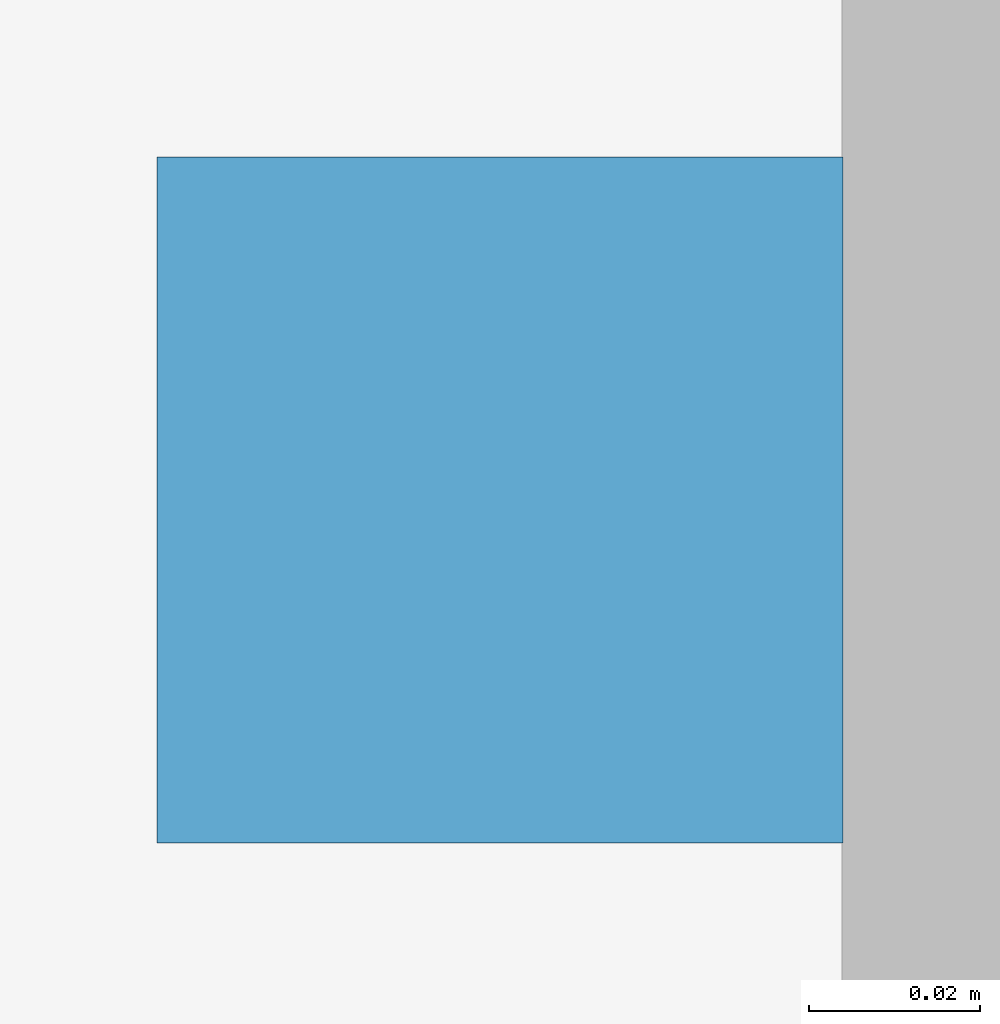
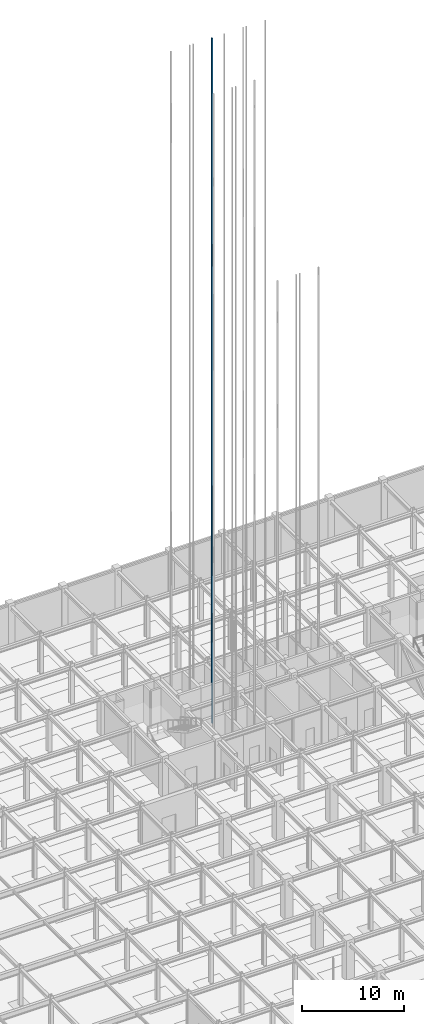
# One storey, part 59 of 69: 1 discrete accessory.
"""IFC4 building model written with IfcOpenShell, lengths in metres."""

import ifcopenshell
import ifcopenshell.guid

model = None  # the IFC model being written
_history = None  # IfcOwnerHistory: only IFC2X3 demands one
_inside = {}  # id of a spatial element -> (the spatial element, [elements in it])
_under = {}  # id of a project, library or spatial element -> (it, [spatial elements below it])
_declared = {}  # id of a project -> (the project, [libraries it declares])
_typed = {}  # id of a type object -> (the type object, [elements of that type])
_made_of = {}  # id of a material, layer set ... -> (it, [elements and type objects made of it])


def new_model(schema):
    """Start an empty IFC model of exactly this schema.

    Asked for "IFC4X3", IfcOpenShell would pick the latest addendum, in which some entities
    have other attributes; the version numbers below select the first issue.
    IFC2X3 requires an IfcOwnerHistory on every rooted entity: one is made here for all.
    """
    global model, _history
    if schema == "IFC4X3":
        model = ifcopenshell.file(schema_version=(4, 3, 0, 0))
    else:
        model = ifcopenshell.file(schema=schema)
    _inside.clear()
    _under.clear()
    _declared.clear()
    _typed.clear()
    _made_of.clear()
    _history = None
    if model.schema == "IFC2X3":
        org = make("IfcOrganization", Name="unknown")
        user = make(
            "IfcPersonAndOrganization",
            ThePerson=make("IfcPerson", FamilyName="unknown"),
            TheOrganization=org,
        )
        app = make(
            "IfcApplication",
            ApplicationDeveloper=org,
            Version="unknown",
            ApplicationFullName="unknown",
            ApplicationIdentifier="unknown",
        )
        _history = make(
            "IfcOwnerHistory",
            OwningUser=user,
            OwningApplication=app,
            ChangeAction="ADDED",
            CreationDate=0,
        )
    return model


def make(cls, **values):
    """One entity of the class cls with the attributes given. An attribute that is None is left unset."""
    return model.create_entity(
        cls, **{name: value for name, value in values.items() if value is not None}
    )


def rooted(cls, **values):
    """An entity with a GlobalId (a new one), such as an element, a storey or a relation."""
    return make(cls, GlobalId=ifcopenshell.guid.new(), OwnerHistory=_history, **values)


def si_unit(unit_type, name, prefix=None):
    """IfcSIUnit, for example si_unit("LENGTHUNIT", "METRE", prefix="MILLI")."""
    return make("IfcSIUnit", UnitType=unit_type, Prefix=prefix, Name=name)


def assignment(units):
    """IfcUnitAssignment: the units of a project."""
    return None if units is None else make("IfcUnitAssignment", Units=units)


def point(xyz):
    """IfcCartesianPoint."""
    return None if xyz is None else make("IfcCartesianPoint", Coordinates=xyz)


def direction(xyz):
    """IfcDirection."""
    return None if xyz is None else make("IfcDirection", DirectionRatios=xyz)


def frame(location, z_axis=None, x_axis=None):
    """IfcAxis2Placement3D, a coordinate frame: its origin and axes. An axis left out is left unset."""
    return make(
        "IfcAxis2Placement3D",
        Location=point(location),
        Axis=direction(z_axis),
        RefDirection=direction(x_axis),
    )


def frame_2d(location, x_axis=None):
    """IfcAxis2Placement2D, a coordinate frame in the plane: its origin and x axis."""
    return make(
        "IfcAxis2Placement2D", Location=point(location), RefDirection=direction(x_axis)
    )


def origin():
    """The frame at (0, 0, 0) with its axes left unset."""
    return frame((0.0, 0.0, 0.0))


def origin_2d():
    """The frame at (0, 0) in the plane with its x axis left unset."""
    return frame_2d((0.0, 0.0))


def place(relative_to, where):
    """IfcLocalPlacement: puts the frame where relative to a parent placement (None: the world)."""
    return make(
        "IfcLocalPlacement", PlacementRelTo=relative_to, RelativePlacement=where
    )


def context(
    kind, dimensions, precision=None, world=None, true_north=None, identifier=None
):
    """IfcGeometricRepresentationContext, for example the 3D "Model" context."""
    return make(
        "IfcGeometricRepresentationContext",
        ContextIdentifier=identifier,
        ContextType=kind,
        CoordinateSpaceDimension=dimensions,
        Precision=precision,
        WorldCoordinateSystem=world,
        TrueNorth=true_north,
    )


def subcontext(parent, identifier, kind, view, scale=None):
    """IfcGeometricRepresentationSubContext, for example "Body" below "Model"."""
    return make(
        "IfcGeometricRepresentationSubContext",
        ContextIdentifier=identifier,
        ContextType=kind,
        ParentContext=parent,
        TargetScale=scale,
        TargetView=view,
    )


def project(units=None, contexts=None):
    """IfcProject with its units and contexts."""
    return rooted(
        "IfcProject",
        Name="project",
        RepresentationContexts=contexts,
        UnitsInContext=assignment(units),
    )


def spatial(cls, under=None, at=None, **own):
    """A site, building, storey or space (cls), placed at a placement, below another one or the project."""
    s = rooted(cls, ObjectPlacement=at, **own)
    if under is not None:
        _under.setdefault(under.id(), (under, []))[1].append(s)
    return s


def profile(cls, at=None, kind="AREA", **sizes):
    """A parametric profile (cls). Its sizes go by their IFC names, for example OverallWidth=200.0."""
    return make(cls, ProfileType=kind, Position=at, **sizes)


def rectangle(**sizes):
    """IfcRectangleProfileDef."""
    return profile("IfcRectangleProfileDef", **sizes)


def extrude(swept, where, along, depth):
    """IfcExtrudedAreaSolid: the profile swept, set in the frame where, extruded along a direction by depth."""
    return make(
        "IfcExtrudedAreaSolid",
        SweptArea=swept,
        Position=where,
        ExtrudedDirection=direction(along),
        Depth=depth,
    )


def shape(context_of_items, identifier, shape_type, items):
    """IfcShapeRepresentation: the items that make up one representation, for example the "Body"."""
    return make(
        "IfcShapeRepresentation",
        ContextOfItems=context_of_items,
        RepresentationIdentifier=identifier,
        RepresentationType=shape_type,
        Items=items,
    )


def material(Name=None, Category=None):
    """IfcMaterial."""
    return make("IfcMaterial", Name=Name, Category=Category)


def made_of(thing, what):
    """Note that an element or type object is made of a material, layer set ...; save() writes the relation."""
    if what is not None:
        _made_of.setdefault(what.id(), (what, []))[1].append(thing)
    return thing


def type_object(cls, material=None, **own):
    """A type object (cls), such as IfcWallType, which elements share."""
    return made_of(rooted(cls, **own), material)


def element(
    cls,
    number,
    at=None,
    inside=None,
    cuts=None,
    type_object=None,
    material=None,
    context=None,
    identifier="Body",
    shape_type=None,
    held_by="IfcProductDefinitionShape",
    body=None,
    shapes=None,
    **own,
):
    """One element of the class cls, such as IfcWall. Its Tag is "e" and its number.

    at: its placement. inside: the storey or other place that contains it. cuts: it is an
    opening in that element (IfcRelVoidsElement). A single representation is given by context,
    identifier, shape_type and body (its items); several are given by shapes. held_by: the class
    of the entity that holds the representations. save() writes the other relations.
    """
    e = rooted(cls, Tag="e%d" % number, ObjectPlacement=at, **own)
    if body is not None:
        shapes = [shape(context, identifier, shape_type, body)]
    if shapes is not None:
        e.Representation = make(held_by, Representations=shapes)
    if inside is not None:
        _inside.setdefault(inside.id(), (inside, []))[1].append(e)
    if cuts is not None:
        rooted(
            "IfcRelVoidsElement", RelatingBuildingElement=cuts, RelatedOpeningElement=e
        )
    if type_object is not None:
        _typed.setdefault(type_object.id(), (type_object, []))[1].append(e)
    return made_of(e, material)


def aggregate(whole, parts):
    """IfcRelAggregates: a whole, such as a stair, and the parts it consists of."""
    return rooted("IfcRelAggregates", RelatingObject=whole, RelatedObjects=parts)


def save(model, path):
    """Write the relations noted so far, then the file.

    IfcRelAggregates (storeys below a building ...), IfcRelContainedInSpatialStructure (elements
    in a storey), IfcRelDefinesByType, IfcRelAssociatesMaterial and IfcRelDeclares: one each for
    every whole, place, type object, material and project.
    """
    for whole, parts in _under.values():
        aggregate(whole, parts)
    for where, things in _inside.values():
        rooted(
            "IfcRelContainedInSpatialStructure",
            RelatedElements=things,
            RelatingStructure=where,
        )
    for kind, things in _typed.values():
        rooted("IfcRelDefinesByType", RelatedObjects=things, RelatingType=kind)
    for what, things in _made_of.values():
        rooted("IfcRelAssociatesMaterial", RelatedObjects=things, RelatingMaterial=what)
    for by, libraries in _declared.values():
        rooted("IfcRelDeclares", RelatingContext=by, RelatedDefinitions=libraries)
    model.write(path)


model = new_model("IFC4")

# Units and contexts
model_context = context("Model", 3, precision=1e-05, world=origin(), true_north=direction((0.0, 1.0)))
body_context = subcontext(model_context, "Body", "Model", "MODEL_VIEW")
ifc_project = project(units=[si_unit("LENGTHUNIT", "METRE"), si_unit("AREAUNIT", "SQUARE_METRE"), si_unit("VOLUMEUNIT", "CUBIC_METRE"), si_unit("PLANEANGLEUNIT", "RADIAN"), si_unit("MASSUNIT", "GRAM", prefix="KILO")], contexts=[model_context])

# Site, building, storey
site_placement = place(None, origin())
site = spatial("IfcSite", under=ifc_project, at=site_placement, CompositionType="ELEMENT")
building_placement = place(site_placement, origin())
building = spatial("IfcBuilding", under=site, at=building_placement, Name="Zlatovratsky Civic Hall", CompositionType="ELEMENT")
storey_placement = place(building_placement, frame((0.0, 0.0, -4.800048828125)))
storey = spatial("IfcBuildingStorey", under=building, at=storey_placement, Name="B1", CompositionType="ELEMENT", Elevation=-4.800048828125)

# Discrete accessory
ifc_material = material(Name="Steel S355", Category="steel")
discrete_accessory_type = type_object("IfcDiscreteAccessoryType", Name="Lift_GuideRail", PredefinedType="USERDEFINED", material=ifc_material)
discrete_accessory_placement = place(storey_placement, frame((77.31005859375, 94.14990234375, -1.60009765625), z_axis=(0.0, 0.0, 1.0), x_axis=(1.0, 0.0, 0.0)))
element("IfcDiscreteAccessory", 1, at=discrete_accessory_placement, inside=storey, type_object=discrete_accessory_type, Name="Lift Guide Rail LP-02 R", ObjectType="GUIDE RAIL", PredefinedType="USERDEFINED", context=body_context, shape_type="SweptSolid", body=[
    extrude(rectangle(XDim=0.080078125, YDim=0.080078125, at=origin_2d()), origin(), (0.0, 0.0, 1.0), 81.60009765625),
])

save(model, "model.ifc")
